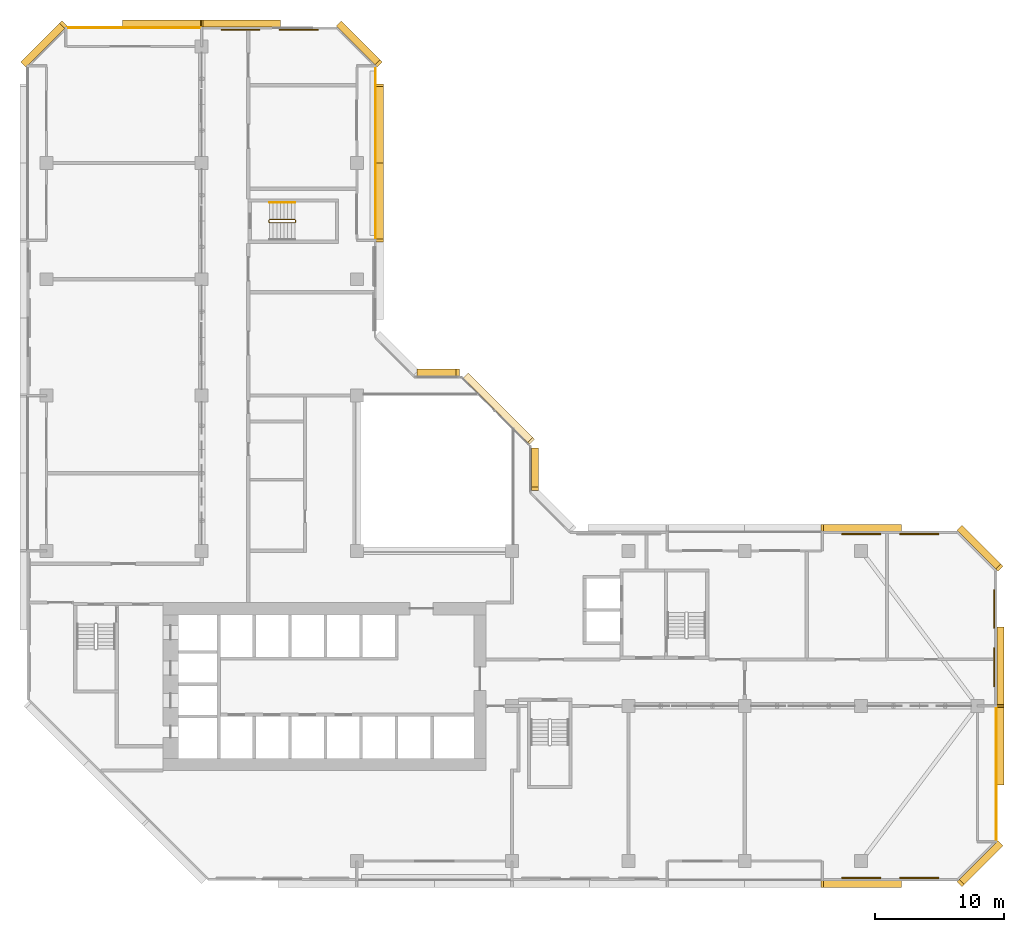
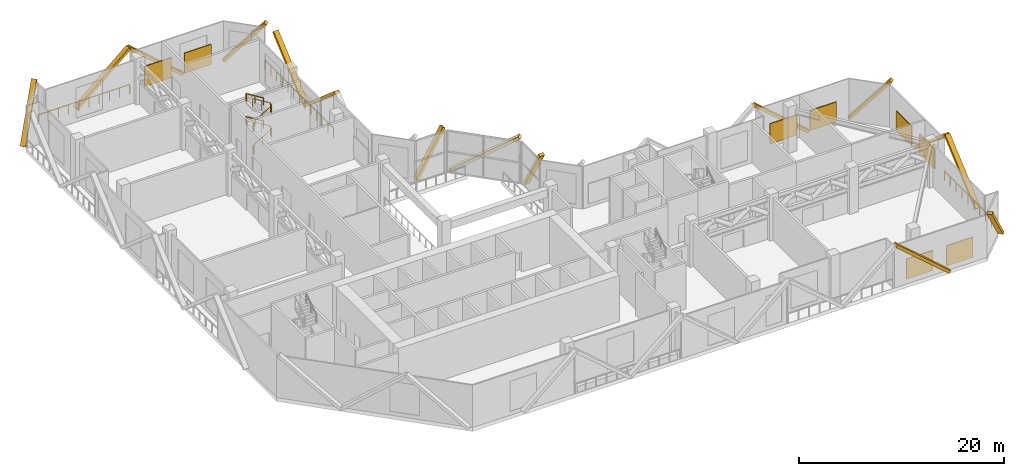
# One storey, part 15 of 15: 15 coverings, 8 shading devices, 6 railings.
"""IFC4 building model written with IfcOpenShell, lengths in metres."""

import ifcopenshell
import ifcopenshell.guid

model = None  # the IFC model being written
_history = None  # IfcOwnerHistory: only IFC2X3 demands one
_inside = {}  # id of a spatial element -> (the spatial element, [elements in it])
_under = {}  # id of a project, library or spatial element -> (it, [spatial elements below it])
_declared = {}  # id of a project -> (the project, [libraries it declares])
_typed = {}  # id of a type object -> (the type object, [elements of that type])
_made_of = {}  # id of a material, layer set ... -> (it, [elements and type objects made of it])


def new_model(schema):
    """Start an empty IFC model of exactly this schema.

    Asked for "IFC4X3", IfcOpenShell would pick the latest addendum, in which some entities
    have other attributes; the version numbers below select the first issue.
    IFC2X3 requires an IfcOwnerHistory on every rooted entity: one is made here for all.
    """
    global model, _history
    if schema == "IFC4X3":
        model = ifcopenshell.file(schema_version=(4, 3, 0, 0))
    else:
        model = ifcopenshell.file(schema=schema)
    _inside.clear()
    _under.clear()
    _declared.clear()
    _typed.clear()
    _made_of.clear()
    _history = None
    if model.schema == "IFC2X3":
        org = make("IfcOrganization", Name="unknown")
        user = make(
            "IfcPersonAndOrganization",
            ThePerson=make("IfcPerson", FamilyName="unknown"),
            TheOrganization=org,
        )
        app = make(
            "IfcApplication",
            ApplicationDeveloper=org,
            Version="unknown",
            ApplicationFullName="unknown",
            ApplicationIdentifier="unknown",
        )
        _history = make(
            "IfcOwnerHistory",
            OwningUser=user,
            OwningApplication=app,
            ChangeAction="ADDED",
            CreationDate=0,
        )
    return model


def make(cls, **values):
    """One entity of the class cls with the attributes given. An attribute that is None is left unset."""
    return model.create_entity(
        cls, **{name: value for name, value in values.items() if value is not None}
    )


def rooted(cls, **values):
    """An entity with a GlobalId (a new one), such as an element, a storey or a relation."""
    return make(cls, GlobalId=ifcopenshell.guid.new(), OwnerHistory=_history, **values)


def si_unit(unit_type, name, prefix=None):
    """IfcSIUnit, for example si_unit("LENGTHUNIT", "METRE", prefix="MILLI")."""
    return make("IfcSIUnit", UnitType=unit_type, Prefix=prefix, Name=name)


def assignment(units):
    """IfcUnitAssignment: the units of a project."""
    return None if units is None else make("IfcUnitAssignment", Units=units)


def point(xyz):
    """IfcCartesianPoint."""
    return None if xyz is None else make("IfcCartesianPoint", Coordinates=xyz)


def direction(xyz):
    """IfcDirection."""
    return None if xyz is None else make("IfcDirection", DirectionRatios=xyz)


def frame(location, z_axis=None, x_axis=None):
    """IfcAxis2Placement3D, a coordinate frame: its origin and axes. An axis left out is left unset."""
    return make(
        "IfcAxis2Placement3D",
        Location=point(location),
        Axis=direction(z_axis),
        RefDirection=direction(x_axis),
    )


def frame_2d(location, x_axis=None):
    """IfcAxis2Placement2D, a coordinate frame in the plane: its origin and x axis."""
    return make(
        "IfcAxis2Placement2D", Location=point(location), RefDirection=direction(x_axis)
    )


def origin():
    """The frame at (0, 0, 0) with its axes left unset."""
    return frame((0.0, 0.0, 0.0))


def origin_2d():
    """The frame at (0, 0) in the plane with its x axis left unset."""
    return frame_2d((0.0, 0.0))


def place(relative_to, where):
    """IfcLocalPlacement: puts the frame where relative to a parent placement (None: the world)."""
    return make(
        "IfcLocalPlacement", PlacementRelTo=relative_to, RelativePlacement=where
    )


def context(
    kind, dimensions, precision=None, world=None, true_north=None, identifier=None
):
    """IfcGeometricRepresentationContext, for example the 3D "Model" context."""
    return make(
        "IfcGeometricRepresentationContext",
        ContextIdentifier=identifier,
        ContextType=kind,
        CoordinateSpaceDimension=dimensions,
        Precision=precision,
        WorldCoordinateSystem=world,
        TrueNorth=true_north,
    )


def subcontext(parent, identifier, kind, view, scale=None):
    """IfcGeometricRepresentationSubContext, for example "Body" below "Model"."""
    return make(
        "IfcGeometricRepresentationSubContext",
        ContextIdentifier=identifier,
        ContextType=kind,
        ParentContext=parent,
        TargetScale=scale,
        TargetView=view,
    )


def project(units=None, contexts=None):
    """IfcProject with its units and contexts."""
    return rooted(
        "IfcProject",
        Name="project",
        RepresentationContexts=contexts,
        UnitsInContext=assignment(units),
    )


def spatial(cls, under=None, at=None, **own):
    """A site, building, storey or space (cls), placed at a placement, below another one or the project."""
    s = rooted(cls, ObjectPlacement=at, **own)
    if under is not None:
        _under.setdefault(under.id(), (under, []))[1].append(s)
    return s


def profile(cls, at=None, kind="AREA", **sizes):
    """A parametric profile (cls). Its sizes go by their IFC names, for example OverallWidth=200.0."""
    return make(cls, ProfileType=kind, Position=at, **sizes)


def rectangle(**sizes):
    """IfcRectangleProfileDef."""
    return profile("IfcRectangleProfileDef", **sizes)


def extrude(swept, where, along, depth):
    """IfcExtrudedAreaSolid: the profile swept, set in the frame where, extruded along a direction by depth."""
    return make(
        "IfcExtrudedAreaSolid",
        SweptArea=swept,
        Position=where,
        ExtrudedDirection=direction(along),
        Depth=depth,
    )


def shape(context_of_items, identifier, shape_type, items):
    """IfcShapeRepresentation: the items that make up one representation, for example the "Body"."""
    return make(
        "IfcShapeRepresentation",
        ContextOfItems=context_of_items,
        RepresentationIdentifier=identifier,
        RepresentationType=shape_type,
        Items=items,
    )


def material(Name=None, Category=None):
    """IfcMaterial."""
    return make("IfcMaterial", Name=Name, Category=Category)


def material_profile(
    of_material, cross_section, Name=None, Category=None, Priority=None
):
    """IfcMaterialProfile: a cross section and its material."""
    return make(
        "IfcMaterialProfile",
        Name=Name,
        Material=of_material,
        Profile=cross_section,
        Priority=Priority,
        Category=Category,
    )


def profile_set(profiles, Name=None, composite=None):
    """IfcMaterialProfileSet."""
    return make(
        "IfcMaterialProfileSet",
        Name=Name,
        MaterialProfiles=profiles,
        CompositeProfile=composite,
    )


def made_of(thing, what):
    """Note that an element or type object is made of a material, layer set ...; save() writes the relation."""
    if what is not None:
        _made_of.setdefault(what.id(), (what, []))[1].append(thing)
    return thing


def type_object(cls, material=None, **own):
    """A type object (cls), such as IfcWallType, which elements share."""
    return made_of(rooted(cls, **own), material)


def element(
    cls,
    number,
    at=None,
    inside=None,
    cuts=None,
    type_object=None,
    material=None,
    context=None,
    identifier="Body",
    shape_type=None,
    held_by="IfcProductDefinitionShape",
    body=None,
    shapes=None,
    **own,
):
    """One element of the class cls, such as IfcWall. Its Tag is "e" and its number.

    at: its placement. inside: the storey or other place that contains it. cuts: it is an
    opening in that element (IfcRelVoidsElement). A single representation is given by context,
    identifier, shape_type and body (its items); several are given by shapes. held_by: the class
    of the entity that holds the representations. save() writes the other relations.
    """
    e = rooted(cls, Tag="e%d" % number, ObjectPlacement=at, **own)
    if body is not None:
        shapes = [shape(context, identifier, shape_type, body)]
    if shapes is not None:
        e.Representation = make(held_by, Representations=shapes)
    if inside is not None:
        _inside.setdefault(inside.id(), (inside, []))[1].append(e)
    if cuts is not None:
        rooted(
            "IfcRelVoidsElement", RelatingBuildingElement=cuts, RelatedOpeningElement=e
        )
    if type_object is not None:
        _typed.setdefault(type_object.id(), (type_object, []))[1].append(e)
    return made_of(e, material)


def aggregate(whole, parts):
    """IfcRelAggregates: a whole, such as a stair, and the parts it consists of."""
    return rooted("IfcRelAggregates", RelatingObject=whole, RelatedObjects=parts)


def save(model, path):
    """Write the relations noted so far, then the file.

    IfcRelAggregates (storeys below a building ...), IfcRelContainedInSpatialStructure (elements
    in a storey), IfcRelDefinesByType, IfcRelAssociatesMaterial and IfcRelDeclares: one each for
    every whole, place, type object, material and project.
    """
    for whole, parts in _under.values():
        aggregate(whole, parts)
    for where, things in _inside.values():
        rooted(
            "IfcRelContainedInSpatialStructure",
            RelatedElements=things,
            RelatingStructure=where,
        )
    for kind, things in _typed.values():
        rooted("IfcRelDefinesByType", RelatedObjects=things, RelatingType=kind)
    for what, things in _made_of.values():
        rooted("IfcRelAssociatesMaterial", RelatedObjects=things, RelatingMaterial=what)
    for by, libraries in _declared.values():
        rooted("IfcRelDeclares", RelatingContext=by, RelatedDefinitions=libraries)
    model.write(path)


model = new_model("IFC4")

# Units and contexts
model_context = context("Model", 3, precision=1e-05, world=origin(), true_north=direction((0.0, 1.0)))
body_context = subcontext(model_context, "Body", "Model", "MODEL_VIEW")
ifc_project = project(units=[si_unit("LENGTHUNIT", "METRE"), si_unit("AREAUNIT", "SQUARE_METRE"), si_unit("VOLUMEUNIT", "CUBIC_METRE"), si_unit("PLANEANGLEUNIT", "RADIAN"), si_unit("MASSUNIT", "GRAM", prefix="KILO")], contexts=[model_context])

# Site, building, storey
site_placement = place(None, origin())
site = spatial("IfcSite", under=ifc_project, at=site_placement, CompositionType="ELEMENT")
building_placement = place(site_placement, origin())
building = spatial("IfcBuilding", under=site, at=building_placement, Name="Chenar Terraces", CompositionType="ELEMENT")
storey_placement = place(building_placement, frame((0.0, 0.0, 140.64990234375)))
storey = spatial("IfcBuildingStorey", under=building, at=storey_placement, Name="L33", CompositionType="ELEMENT", Elevation=140.64990234375)

# Railings
ifc_material_1 = material(Name="Stainless steel and glass", Category="steel")
railing_type_1 = type_object("IfcRailingType", Name="Loggia guard 1150", PredefinedType="GUARDRAIL", material=ifc_material_1)
railing_1_placement = place(storey_placement, frame((25.449951171875, 48.074951171875, 0.0)))
element("IfcRailing", 1, at=railing_1_placement, inside=storey, type_object=railing_type_1, Name="Loggia guard", PredefinedType="GUARDRAIL", context=body_context, shape_type="SweptSolid", body=[
    extrude(rectangle(XDim=0.048095703125, YDim=0.048095703125, at=origin_2d()), frame((0.0, 0.0, 1.1259765625), z_axis=(0.0, 1.0, 0.0), x_axis=(-1.0, 0.0, 0.0)), (0.0, 0.0, 1.0), 13.35009765625),
    extrude(rectangle(XDim=0.0419921875, YDim=0.0419921875, at=origin_2d()), origin(), (0.0, 0.0, 1.0), 1.101806640625),
    extrude(rectangle(XDim=0.0419921875, YDim=0.0419921875, at=origin_2d()), frame((0.0, 1.112548828125, 0.0)), (0.0, 0.0, 1.0), 1.101806640625),
    extrude(rectangle(XDim=0.0419921875, YDim=0.0419921875, at=origin_2d()), frame((0.0, 2.22509765625, 0.0)), (0.0, 0.0, 1.0), 1.101806640625),
    extrude(rectangle(XDim=0.0419921875, YDim=0.0419921875, at=origin_2d()), frame((0.0, 3.33740234375, 0.0)), (0.0, 0.0, 1.0), 1.101806640625),
    extrude(rectangle(XDim=0.0419921875, YDim=0.0419921875, at=origin_2d()), frame((0.0, 4.449951171875, 0.0)), (0.0, 0.0, 1.0), 1.101806640625),
    extrude(rectangle(XDim=0.0419921875, YDim=0.0419921875, at=origin_2d()), frame((0.0, 5.5625, 0.0)), (0.0, 0.0, 1.0), 1.101806640625),
    extrude(rectangle(XDim=0.0419921875, YDim=0.0419921875, at=origin_2d()), frame((0.0, 6.675048828125, 0.0)), (0.0, 0.0, 1.0), 1.101806640625),
    extrude(rectangle(XDim=0.0419921875, YDim=0.0419921875, at=origin_2d()), frame((0.0, 7.78759765625, 0.0)), (0.0, 0.0, 1.0), 1.101806640625),
    extrude(rectangle(XDim=0.0419921875, YDim=0.0419921875, at=origin_2d()), frame((0.0, 8.900146484375, 0.0)), (0.0, 0.0, 1.0), 1.101806640625),
    extrude(rectangle(XDim=0.0419921875, YDim=0.0419921875, at=origin_2d()), frame((0.0, 10.0126953125, 0.0)), (0.0, 0.0, 1.0), 1.101806640625),
    extrude(rectangle(XDim=0.0419921875, YDim=0.0419921875, at=origin_2d()), frame((0.0, 11.125, 0.0)), (0.0, 0.0, 1.0), 1.101806640625),
    extrude(rectangle(XDim=0.0419921875, YDim=0.0419921875, at=origin_2d()), frame((0.0, 12.237548828125, 0.0)), (0.0, 0.0, 1.0), 1.101806640625),
    extrude(rectangle(XDim=0.0419921875, YDim=0.0419921875, at=origin_2d()), frame((0.0, 13.35009765625, 0.0)), (0.0, 0.0, 1.0), 1.101806640625),
])
railing_2_placement = place(storey_placement, frame((73.449951171875, 1.574951171875, 0.0)))
element("IfcRailing", 2, at=railing_2_placement, inside=storey, type_object=railing_type_1, Name="Loggia guard", PredefinedType="GUARDRAIL", context=body_context, shape_type="SweptSolid", body=[
    extrude(rectangle(XDim=0.048095703125, YDim=0.048095703125, at=origin_2d()), frame((0.0, 0.0, 1.1259765625), z_axis=(0.0, 1.0, 0.0), x_axis=(-1.0, 0.0, 0.0)), (0.0, 0.0, 1.0), 10.35009765625),
    extrude(rectangle(XDim=0.0419921875, YDim=0.0419921875, at=origin_2d()), origin(), (0.0, 0.0, 1.0), 1.101806640625),
    extrude(rectangle(XDim=0.0419921875, YDim=0.0419921875, at=origin_2d()), frame((0.0, 1.14990234375, 0.0)), (0.0, 0.0, 1.0), 1.101806640625),
    extrude(rectangle(XDim=0.0419921875, YDim=0.0419921875, at=origin_2d()), frame((0.0, 2.300048828125, 0.0)), (0.0, 0.0, 1.0), 1.101806640625),
    extrude(rectangle(XDim=0.0419921875, YDim=0.0419921875, at=origin_2d()), frame((0.0, 3.449951171875, 0.0)), (0.0, 0.0, 1.0), 1.101806640625),
    extrude(rectangle(XDim=0.0419921875, YDim=0.0419921875, at=origin_2d()), frame((0.0, 4.60009765625, 0.0)), (0.0, 0.0, 1.0), 1.101806640625),
    extrude(rectangle(XDim=0.0419921875, YDim=0.0419921875, at=origin_2d()), frame((0.0, 5.75, 0.0)), (0.0, 0.0, 1.0), 1.101806640625),
    extrude(rectangle(XDim=0.0419921875, YDim=0.0419921875, at=origin_2d()), frame((0.0, 6.900146484375, 0.0)), (0.0, 0.0, 1.0), 1.101806640625),
    extrude(rectangle(XDim=0.0419921875, YDim=0.0419921875, at=origin_2d()), frame((0.0, 8.050048828125, 0.0)), (0.0, 0.0, 1.0), 1.101806640625),
    extrude(rectangle(XDim=0.0419921875, YDim=0.0419921875, at=origin_2d()), frame((0.0, 9.2001953125, 0.0)), (0.0, 0.0, 1.0), 1.101806640625),
    extrude(rectangle(XDim=0.0419921875, YDim=0.0419921875, at=origin_2d()), frame((0.0, 10.35009765625, 0.0)), (0.0, 0.0, 1.0), 1.101806640625),
])
railing_3_placement = place(storey_placement, frame((11.925048828125, 64.449951171875, 0.0)))
element("IfcRailing", 3, at=railing_3_placement, inside=storey, type_object=railing_type_1, Name="Loggia guard", PredefinedType="GUARDRAIL", context=body_context, shape_type="SweptSolid", body=[
    extrude(rectangle(XDim=0.048095703125, YDim=0.048095703125, at=origin_2d()), frame((0.0, 0.0, 1.1259765625), z_axis=(-1.0, 0.0, 0.0), x_axis=(0.0, -1.0, 0.0)), (0.0, 0.0, 1.0), 10.35009765625),
    extrude(rectangle(XDim=0.0419921875, YDim=0.0419921875, at=origin_2d()), origin(), (0.0, 0.0, 1.0), 1.101806640625),
    extrude(rectangle(XDim=0.0419921875, YDim=0.0419921875, at=origin_2d()), frame((-1.14990234375, 0.0, 0.0)), (0.0, 0.0, 1.0), 1.101806640625),
    extrude(rectangle(XDim=0.0419921875, YDim=0.0419921875, at=origin_2d()), frame((-2.300048828125, 0.0, 0.0)), (0.0, 0.0, 1.0), 1.101806640625),
    extrude(rectangle(XDim=0.0419921875, YDim=0.0419921875, at=origin_2d()), frame((-3.449951171875, 0.0, 0.0)), (0.0, 0.0, 1.0), 1.101806640625),
    extrude(rectangle(XDim=0.0419921875, YDim=0.0419921875, at=origin_2d()), frame((-4.60009765625, 0.0, 0.0)), (0.0, 0.0, 1.0), 1.101806640625),
    extrude(rectangle(XDim=0.0419921875, YDim=0.0419921875, at=origin_2d()), frame((-5.75, 0.0, 0.0)), (0.0, 0.0, 1.0), 1.101806640625),
    extrude(rectangle(XDim=0.0419921875, YDim=0.0419921875, at=origin_2d()), frame((-6.900146484375, 0.0, 0.0)), (0.0, 0.0, 1.0), 1.101806640625),
    extrude(rectangle(XDim=0.0419921875, YDim=0.0419921875, at=origin_2d()), frame((-8.050048828125, 0.0, 0.0)), (0.0, 0.0, 1.0), 1.101806640625),
    extrude(rectangle(XDim=0.0419921875, YDim=0.0419921875, at=origin_2d()), frame((-9.2001953125, 0.0, 0.0)), (0.0, 0.0, 1.0), 1.101806640625),
    extrude(rectangle(XDim=0.0419921875, YDim=0.0419921875, at=origin_2d()), frame((-10.35009765625, 0.0, 0.0)), (0.0, 0.0, 1.0), 1.101806640625),
])

# Shading devices
ifc_material_2 = material(Name="Powder-coated steel", Category="steel")
shading_device_type = type_object("IfcShadingDeviceType", Name="Sand-proof louvre bank 3000 x 2400", PredefinedType="USERDEFINED", material=ifc_material_2)
for number, where, z_axis, x_axis, name in (
    (4, (73.300048828125, 15.0, 0.4501953125), (0.0, 0.0, 1.0), (0.0, 1.0, 0.0), "Sand-proof louvre bank"),
    (5, (73.300048828125, 19.5, 0.4501953125), (0.0, 0.0, 1.0), (0.0, 1.0, 0.0), "Sand-proof louvre bank"),
    (6, (67.5, 25.300048828125, 0.4501953125), (0.0, 0.0, 1.0), (-1.0, 0.0, 0.0), "Sand-proof louvre bank"),
    (7, (63.0, 25.300048828125, 0.4501953125), (0.0, 0.0, 1.0), (-1.0, 0.0, 0.0), "Sand-proof louvre bank"),
    (8, (19.5, 64.300048828125, 0.4501953125), (0.0, 0.0, 1.0), (-1.0, 0.0, 0.0), "Sand-proof louvre bank"),
    (9, (15.0, 64.300048828125, 0.4501953125), (0.0, 0.0, 1.0), (-1.0, 0.0, 0.0), "Sand-proof louvre bank"),
    (10, (63.0, -1.300048828125, 0.4501953125), (0.0, 0.0, 1.0), (1.0, 0.0, 0.0), "Sand-proof louvre bank"),
    (11, (67.5, -1.300048828125, 0.4501953125), (0.0, 0.0, 1.0), (1.0, 0.0, 0.0), "Sand-proof louvre bank"),
):
    element("IfcShadingDevice", number, at=place(storey_placement, frame(where, z_axis=z_axis, x_axis=x_axis)), inside=storey, type_object=shading_device_type, Name=name, ObjectType="LOUVRE", PredefinedType="USERDEFINED", context=body_context, shape_type="SweptSolid", body=[
        extrude(rectangle(XDim=3.0, YDim=0.10009765625, at=origin_2d()), origin(), (0.0, 0.0, 1.0), 2.39990234375),
    ])

# Railings
ifc_material_3 = material(Name="Powder-coated steel", Category="steel")
railing_type_2 = type_object("IfcRailingType", Name="Stair guard 1100", PredefinedType="GUARDRAIL", material=ifc_material_3)
railing_4_placement = place(storey_placement, frame((17.25, 49.625, 5.5)))
element("IfcRailing", 12, at=railing_4_placement, inside=storey, type_object=railing_type_2, Name="L33 ST4 stair guard 1", PredefinedType="GUARDRAIL", context=body_context, shape_type="SweptSolid", body=[
    extrude(rectangle(XDim=0.048095703125, YDim=0.048095703125, at=origin_2d()), frame((0.0, 0.0, 1.076171875), z_axis=(0.852240978134, 0.0, -0.523149419562), x_axis=(0.0, 1.0, 0.0)), (0.0, 0.0, 1.0), 2.2998046875),
    extrude(rectangle(XDim=0.048095703125, YDim=0.048095703125, at=origin_2d()), frame((1.9599609375, 0.0, -0.126953125), z_axis=(0.269255725606, -0.269255725606, -0.92466356501), x_axis=(0.707106781187, 0.707106781187, 0.0)), (0.0, 0.0, 1.0), 0.185791015625),
    extrude(rectangle(XDim=0.048095703125, YDim=0.048095703125, at=origin_2d()), frame((2.010009765625, -0.050048828125, -0.298828125), z_axis=(0.0, -1.0, 0.0), x_axis=(1.0, 0.0, 0.0)), (0.0, 0.0, 1.0), 0.14990234375),
    extrude(rectangle(XDim=0.048095703125, YDim=0.048095703125, at=origin_2d()), frame((2.010009765625, -0.199951171875, -0.298828125), z_axis=(-0.707106781187, -0.707106781187, 0.0), x_axis=(0.707106781187, -0.707106781187, 0.0)), (0.0, 0.0, 1.0), 0.07080078125),
    extrude(rectangle(XDim=0.048095703125, YDim=0.048095703125, at=origin_2d()), frame((1.9599609375, -0.25, -0.298828125), z_axis=(-0.852240978134, 0.0, -0.523149419562), x_axis=(0.0, -1.0, 0.0)), (0.0, 0.0, 1.0), 2.2998046875),
    extrude(rectangle(XDim=0.048095703125, YDim=0.048095703125, at=origin_2d()), frame((0.0, -0.25, -1.501953125), z_axis=(-0.186486819998, 0.745037588186, -0.640423030626), x_axis=(-0.970072785993, -0.242814311512, 0.0)), (0.0, 0.0, 1.0), 0.268310546875),
    extrude(rectangle(XDim=0.048095703125, YDim=0.048095703125, at=origin_2d()), frame((-0.050048828125, -0.050048828125, -1.673828125), z_axis=(0.0, -1.0, 0.0), x_axis=(1.0, 0.0, 0.0)), (0.0, 0.0, 1.0), 0.14990234375),
    extrude(rectangle(XDim=0.048095703125, YDim=0.048095703125, at=origin_2d()), frame((-0.050048828125, -0.199951171875, -1.673828125), z_axis=(0.242814311512, 0.970072785993, 0.0), x_axis=(-0.970072785993, 0.242814311512, 0.0)), (0.0, 0.0, 1.0), 0.2060546875),
    extrude(rectangle(XDim=0.048095703125, YDim=0.048095703125, at=origin_2d()), frame((0.0, 0.0, -1.673828125), z_axis=(0.852240978134, 0.0, -0.523149419562), x_axis=(0.0, 1.0, 0.0)), (0.0, 0.0, 1.0), 2.2998046875),
    extrude(rectangle(XDim=0.048095703125, YDim=0.048095703125, at=origin_2d()), frame((1.9599609375, 0.0, -2.876953125), z_axis=(0.269255725606, -0.269255725606, -0.92466356501), x_axis=(0.707106781187, 0.707106781187, 0.0)), (0.0, 0.0, 1.0), 0.185791015625),
    extrude(rectangle(XDim=0.048095703125, YDim=0.048095703125, at=origin_2d()), frame((2.010009765625, -0.050048828125, -3.048828125), z_axis=(0.0, -1.0, 0.0), x_axis=(1.0, 0.0, 0.0)), (0.0, 0.0, 1.0), 0.14990234375),
    extrude(rectangle(XDim=0.048095703125, YDim=0.048095703125, at=origin_2d()), frame((2.010009765625, -0.199951171875, -3.048828125), z_axis=(-0.707106781187, -0.707106781187, 0.0), x_axis=(0.707106781187, -0.707106781187, 0.0)), (0.0, 0.0, 1.0), 0.07080078125),
    extrude(rectangle(XDim=0.048095703125, YDim=0.048095703125, at=origin_2d()), frame((1.9599609375, -0.25, -3.048828125), z_axis=(-0.852240978134, 0.0, -0.523149419562), x_axis=(0.0, -1.0, 0.0)), (0.0, 0.0, 1.0), 2.2998046875),
    extrude(rectangle(XDim=0.048095703125, YDim=0.048095703125, at=origin_2d()), frame((0.0, -0.25, -4.251953125), z_axis=(-0.269255725606, 0.269255725606, -0.92466356501), x_axis=(-0.707106781187, -0.707106781187, 0.0)), (0.0, 0.0, 1.0), 0.185791015625),
    extrude(rectangle(XDim=0.048095703125, YDim=0.048095703125, at=origin_2d()), frame((-0.050048828125, -0.199951171875, -4.423828125), z_axis=(0.0, 1.0, 0.0), x_axis=(-1.0, 0.0, 0.0)), (0.0, 0.0, 1.0), 0.14990234375),
    extrude(rectangle(XDim=0.0419921875, YDim=0.0419921875, at=origin_2d()), origin(), (0.0, 0.0, 1.0), 1.052001953125),
    extrude(rectangle(XDim=0.0419921875, YDim=0.0419921875, at=origin_2d()), frame((0.97998046875, 0.0, -0.6015625)), (0.0, 0.0, 1.0), 1.052001953125),
    extrude(rectangle(XDim=0.0419921875, YDim=0.0419921875, at=origin_2d()), frame((1.9599609375, 0.0, -1.203125)), (0.0, 0.0, 1.0), 1.052001953125),
    extrude(rectangle(XDim=0.0419921875, YDim=0.0419921875, at=origin_2d()), frame((2.010009765625, -0.050048828125, -1.375)), (0.0, 0.0, 1.0), 1.052001953125),
    extrude(rectangle(XDim=0.0419921875, YDim=0.0419921875, at=origin_2d()), frame((2.010009765625, -0.199951171875, -1.375)), (0.0, 0.0, 1.0), 1.052001953125),
    extrude(rectangle(XDim=0.0419921875, YDim=0.0419921875, at=origin_2d()), frame((1.9599609375, -0.25, -1.375)), (0.0, 0.0, 1.0), 1.052001953125),
    extrude(rectangle(XDim=0.0419921875, YDim=0.0419921875, at=origin_2d()), frame((0.97998046875, -0.25, -1.9765625)), (0.0, 0.0, 1.0), 1.052001953125),
    extrude(rectangle(XDim=0.0419921875, YDim=0.0419921875, at=origin_2d()), frame((0.0, -0.25, -2.578125)), (0.0, 0.0, 1.0), 1.052001953125),
    extrude(rectangle(XDim=0.0419921875, YDim=0.0419921875, at=origin_2d()), frame((-0.050048828125, -0.050048828125, -2.75)), (0.0, 0.0, 1.0), 1.052001953125),
    extrude(rectangle(XDim=0.0419921875, YDim=0.0419921875, at=origin_2d()), frame((-0.050048828125, -0.199951171875, -2.75)), (0.0, 0.0, 1.0), 1.052001953125),
    extrude(rectangle(XDim=0.0419921875, YDim=0.0419921875, at=origin_2d()), frame((0.0, 0.0, -2.75)), (0.0, 0.0, 1.0), 1.052001953125),
    extrude(rectangle(XDim=0.0419921875, YDim=0.0419921875, at=origin_2d()), frame((0.97998046875, 0.0, -3.3515625)), (0.0, 0.0, 1.0), 1.052001953125),
    extrude(rectangle(XDim=0.0419921875, YDim=0.0419921875, at=origin_2d()), frame((1.9599609375, 0.0, -3.953125)), (0.0, 0.0, 1.0), 1.052001953125),
    extrude(rectangle(XDim=0.0419921875, YDim=0.0419921875, at=origin_2d()), frame((2.010009765625, -0.050048828125, -4.125)), (0.0, 0.0, 1.0), 1.052001953125),
    extrude(rectangle(XDim=0.0419921875, YDim=0.0419921875, at=origin_2d()), frame((2.010009765625, -0.199951171875, -4.125)), (0.0, 0.0, 1.0), 1.052001953125),
    extrude(rectangle(XDim=0.0419921875, YDim=0.0419921875, at=origin_2d()), frame((1.9599609375, -0.25, -4.125)), (0.0, 0.0, 1.0), 1.052001953125),
    extrude(rectangle(XDim=0.0419921875, YDim=0.0419921875, at=origin_2d()), frame((0.97998046875, -0.25, -4.7265625)), (0.0, 0.0, 1.0), 1.052001953125),
    extrude(rectangle(XDim=0.0419921875, YDim=0.0419921875, at=origin_2d()), frame((0.0, -0.25, -5.328125)), (0.0, 0.0, 1.0), 1.052001953125),
    extrude(rectangle(XDim=0.0419921875, YDim=0.0419921875, at=origin_2d()), frame((-0.050048828125, -0.199951171875, -5.5)), (0.0, 0.0, 1.0), 1.052001953125),
    extrude(rectangle(XDim=0.0419921875, YDim=0.0419921875, at=origin_2d()), frame((-0.050048828125, -0.050048828125, -5.5)), (0.0, 0.0, 1.0), 1.052001953125),
])
ifc_material_4 = material(Name="Powder-coated steel", Category="steel")
railing_type_3 = type_object("IfcRailingType", Name="Stair handrail 900", PredefinedType="HANDRAIL", material=ifc_material_4)
for number, where, name in (
    (13, (19.2099609375, 50.925048828125, 1.546875), "L33 ST4 stair handrail 2"),
    (14, (19.2099609375, 50.925048828125, 4.296875), "L33 ST4 stair handrail 4"),
):
    element("IfcRailing", number, at=place(storey_placement, frame(where)), inside=storey, type_object=railing_type_3, Name=name, PredefinedType="HANDRAIL", context=body_context, shape_type="SweptSolid", body=[
        extrude(rectangle(XDim=0.048095703125, YDim=0.048095703125, at=origin_2d()), frame((0.0, 0.0, 0.8759765625), z_axis=(-0.852240978134, 0.0, 0.523149419562), x_axis=(0.0, -1.0, 0.0)), (0.0, 0.0, 1.0), 2.2998046875),
        extrude(rectangle(XDim=0.0419921875, YDim=0.0419921875, at=origin_2d()), origin(), (0.0, 0.0, 1.0), 0.851806640625),
        extrude(rectangle(XDim=0.0419921875, YDim=0.0419921875, at=origin_2d()), frame((-0.97998046875, 0.0, 0.6015625)), (0.0, 0.0, 1.0), 0.851806640625),
        extrude(rectangle(XDim=0.0419921875, YDim=0.0419921875, at=origin_2d()), frame((-1.9599609375, 0.0, 1.203125)), (0.0, 0.0, 1.0), 0.851806640625),
    ])

# Coverings
ifc_material_5 = material(Name="Terracotta", Category="masonry")
ifc_material_profile = material_profile(ifc_material_5, rectangle(XDim=0.550048828125, YDim=0.330078125, at=origin_2d()), Name="Terracotta baguette 550 x 330")
ifc_profile_set = profile_set([ifc_material_profile], Name="Terracotta")
covering_type = type_object("IfcCoveringType", Name="Terracotta baguette 550 x 330", PredefinedType="CLADDING", material=ifc_profile_set)
covering_1_placement = place(storey_placement, frame((66.0, 25.77490234375, 0.150146484375), z_axis=(-0.755692126483, 0.0, 0.654927026447), x_axis=(0.0, -1.0, 0.0)))
element("IfcCovering", 15, at=covering_1_placement, inside=storey, type_object=covering_type, Name="Terracotta baguette", PredefinedType="CLADDING", context=body_context, shape_type="SweptSolid", body=[
    extrude(rectangle(XDim=0.550048828125, YDim=0.330078125, at=origin_2d()), origin(), (0.0, 0.0, 1.0), 7.939697265625),
])
covering_2_placement = place(storey_placement, frame((37.77490234375, 28.800048828125, 5.35009765625), z_axis=(0.0, 0.499725974117, -0.866183554908), x_axis=(-1.0, 0.0, 0.0)))
element("IfcCovering", 16, at=covering_2_placement, inside=storey, type_object=covering_type, Name="Terracotta baguette", PredefinedType="CLADDING", context=body_context, shape_type="SweptSolid", body=[
    extrude(rectangle(XDim=0.550048828125, YDim=0.330078125, at=origin_2d()), origin(), (0.0, 0.0, 1.0), 6.003173828125),
])
covering_3_placement = place(storey_placement, frame((37.482421875, 32.506591796875, 5.35009765625), z_axis=(-0.568685747751, 0.568685747751, -0.594300463242), x_axis=(-0.707106781187, -0.707106781187, 0.0)))
element("IfcCovering", 17, at=covering_3_placement, inside=storey, type_object=covering_type, Name="Terracotta baguette", PredefinedType="CLADDING", context=body_context, shape_type="SweptSolid", body=[
    extrude(rectangle(XDim=0.550048828125, YDim=0.330078125, at=origin_2d()), origin(), (0.0, 0.0, 1.0), 8.749755859375),
])
covering_4_placement = place(storey_placement, frame((31.800048828125, 37.77490234375, 5.35009765625), z_axis=(-0.499725974117, 0.0, -0.866183554908), x_axis=(0.0, -1.0, 0.0)))
element("IfcCovering", 18, at=covering_4_placement, inside=storey, type_object=covering_type, Name="Terracotta baguette", PredefinedType="CLADDING", context=body_context, shape_type="SweptSolid", body=[
    extrude(rectangle(XDim=0.550048828125, YDim=0.330078125, at=origin_2d()), origin(), (0.0, 0.0, 1.0), 6.003173828125),
])
for number, where, z_axis, x_axis, name in (
    (19, (25.77490234375, 48.0, 5.35009765625), (0.0, 0.755692126483, -0.654927026447), (-1.0, 0.0, 0.0), "Terracotta baguette"),
    (20, (25.77490234375, 54.0, 0.150146484375), (0.0, 0.755692126483, 0.654927026447), (-1.0, 0.0, 0.0), "Terracotta baguette"),
):
    element("IfcCovering", number, at=place(storey_placement, frame(where, z_axis=z_axis, x_axis=x_axis)), inside=storey, type_object=covering_type, Name=name, PredefinedType="CLADDING", context=body_context, shape_type="SweptSolid", body=[
        extrude(rectangle(XDim=0.550048828125, YDim=0.330078125, at=origin_2d()), origin(), (0.0, 0.0, 1.0), 7.939697265625),
    ])
covering_5_placement = place(storey_placement, frame((25.6943359375, 61.6943359375, 5.35009765625), z_axis=(-0.44698837651, 0.447024755478, -0.774835633702), x_axis=(-0.70713555402, -0.707078007182, 0.0)))
element("IfcCovering", 21, at=covering_5_placement, inside=storey, type_object=covering_type, Name="Terracotta baguette", PredefinedType="CLADDING", context=body_context, shape_type="SweptSolid", body=[
    extrude(rectangle(XDim=0.550048828125, YDim=0.330078125, at=origin_2d()), origin(), (0.0, 0.0, 1.0), 6.7109375),
])
for number, where, z_axis, x_axis, name in (
    (22, (18.0, 64.77490234375, 0.150146484375), (-0.755692126483, 0.0, 0.654927026447), (0.0, -1.0, 0.0), "Terracotta baguette"),
    (23, (12.0, 64.77490234375, 5.35009765625), (-0.755692126483, 0.0, -0.654927026447), (0.0, -1.0, 0.0), "Terracotta baguette"),
):
    element("IfcCovering", number, at=place(storey_placement, frame(where, z_axis=z_axis, x_axis=x_axis)), inside=storey, type_object=covering_type, Name=name, PredefinedType="CLADDING", context=body_context, shape_type="SweptSolid", body=[
        extrude(rectangle(XDim=0.550048828125, YDim=0.330078125, at=origin_2d()), origin(), (0.0, 0.0, 1.0), 7.939697265625),
    ])
covering_6_placement = place(storey_placement, frame((1.3056640625, 64.6943359375, 5.35009765625), z_axis=(-0.447024755478, -0.44698837651, -0.774835633702), x_axis=(0.707078007182, -0.70713555402, 0.0)))
element("IfcCovering", 24, at=covering_6_placement, inside=storey, type_object=covering_type, Name="Terracotta baguette", PredefinedType="CLADDING", context=body_context, shape_type="SweptSolid", body=[
    extrude(rectangle(XDim=0.550048828125, YDim=0.330078125, at=origin_2d()), origin(), (0.0, 0.0, 1.0), 6.7109375),
])
covering_7_placement = place(storey_placement, frame((60.0, -1.77490234375, 5.35009765625), z_axis=(0.755692126483, 0.0, -0.654927026447), x_axis=(0.0, 1.0, 0.0)))
element("IfcCovering", 25, at=covering_7_placement, inside=storey, type_object=covering_type, Name="Terracotta baguette", PredefinedType="CLADDING", context=body_context, shape_type="SweptSolid", body=[
    extrude(rectangle(XDim=0.550048828125, YDim=0.330078125, at=origin_2d()), origin(), (0.0, 0.0, 1.0), 7.939697265625),
])
covering_8_placement = place(storey_placement, frame((70.6943359375, -1.6943359375, 5.35009765625), z_axis=(0.447024755478, 0.44698837651, -0.774835633702), x_axis=(-0.707078007182, 0.70713555402, 0.0)))
element("IfcCovering", 26, at=covering_8_placement, inside=storey, type_object=covering_type, Name="Terracotta baguette", PredefinedType="CLADDING", context=body_context, shape_type="SweptSolid", body=[
    extrude(rectangle(XDim=0.550048828125, YDim=0.330078125, at=origin_2d()), origin(), (0.0, 0.0, 1.0), 6.7109375),
])
for number, where, z_axis, x_axis, name in (
    (27, (73.77490234375, 6.0, 0.150146484375), (0.0, 0.755692126483, 0.654927026447), (-1.0, 0.0, 0.0), "Terracotta baguette"),
    (28, (73.77490234375, 12.0, 5.35009765625), (0.0, 0.755692126483, -0.654927026447), (-1.0, 0.0, 0.0), "Terracotta baguette"),
):
    element("IfcCovering", number, at=place(storey_placement, frame(where, z_axis=z_axis, x_axis=x_axis)), inside=storey, type_object=covering_type, Name=name, PredefinedType="CLADDING", context=body_context, shape_type="SweptSolid", body=[
        extrude(rectangle(XDim=0.550048828125, YDim=0.330078125, at=origin_2d()), origin(), (0.0, 0.0, 1.0), 7.939697265625),
    ])
covering_9_placement = place(storey_placement, frame((73.6943359375, 22.6943359375, 5.35009765625), z_axis=(-0.44698837651, 0.447024755478, -0.774835633702), x_axis=(-0.70713555402, -0.707078007182, 0.0)))
element("IfcCovering", 29, at=covering_9_placement, inside=storey, type_object=covering_type, Name="Terracotta baguette", PredefinedType="CLADDING", context=body_context, shape_type="SweptSolid", body=[
    extrude(rectangle(XDim=0.550048828125, YDim=0.330078125, at=origin_2d()), origin(), (0.0, 0.0, 1.0), 6.7109375),
])

save(model, "model.ifc")
